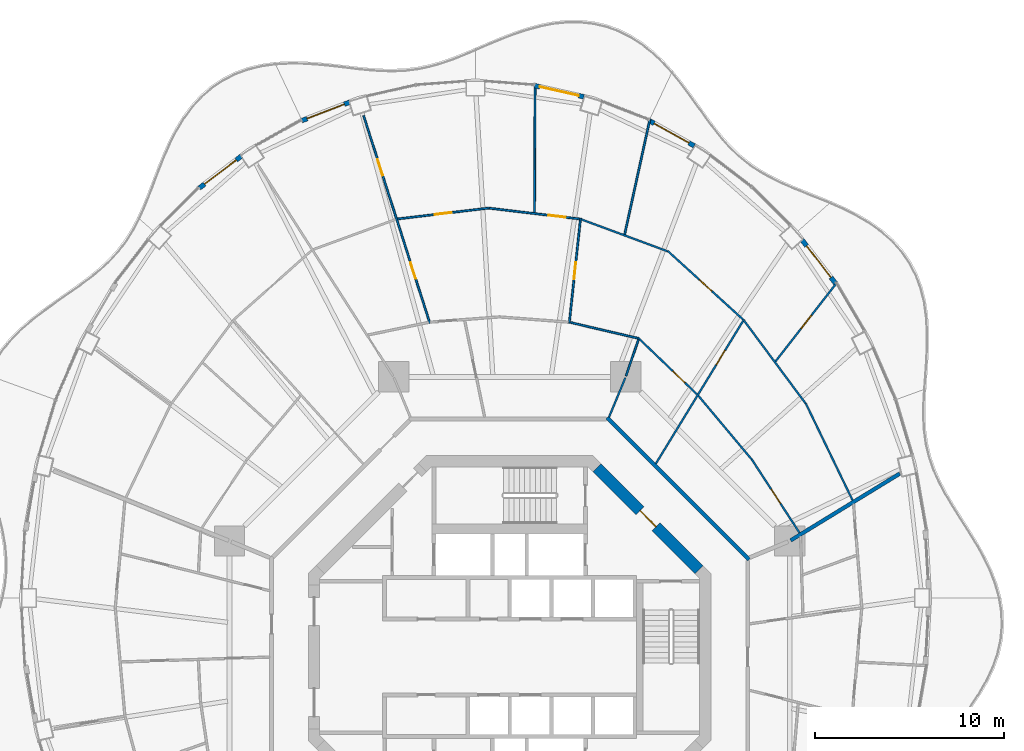
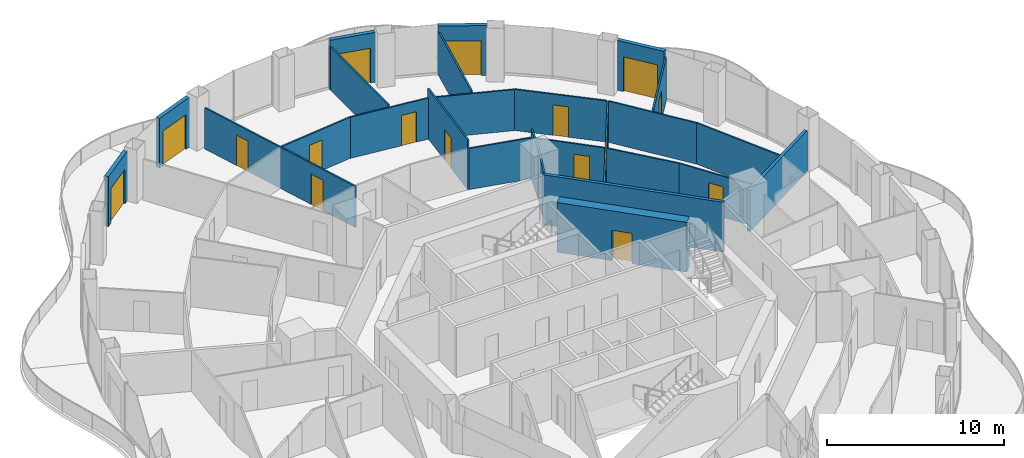
# One storey, part 14 of 18: 26 walls, 16 doors, 16 openings.
"""IFC4 building model written with IfcOpenShell, lengths in metres."""

from ifc_helpers import new_model, si_unit, direction, frame, frame_2d, origin, place, context, subcontext, project, spatial, rectangle, extrude, material, layer, layer_set, type_object, element, fill, save


model = new_model("IFC4")

# Units and contexts
model_context = context("Model", 3, precision=1e-05, world=origin(), true_north=direction((0.0, 1.0)))
body_context = subcontext(model_context, "Body", "Model", "MODEL_VIEW")
ifc_project = project(units=[si_unit("LENGTHUNIT", "METRE"), si_unit("AREAUNIT", "SQUARE_METRE"), si_unit("VOLUMEUNIT", "CUBIC_METRE"), si_unit("PLANEANGLEUNIT", "RADIAN"), si_unit("MASSUNIT", "GRAM", prefix="KILO")], contexts=[model_context])

# Site, building, storey
site_placement = place(None, origin())
site = spatial("IfcSite", under=ifc_project, at=site_placement, CompositionType="ELEMENT")
building_placement = place(site_placement, origin())
building = spatial("IfcBuilding", under=site, at=building_placement, Name="Nagisa Residences", CompositionType="ELEMENT")
storey_placement = place(building_placement, frame((0.0, 0.0, 219.60009765625)))
storey = spatial("IfcBuildingStorey", under=building, at=storey_placement, Name="L55", CompositionType="ELEMENT", Elevation=219.60009765625)

# Walls
ifc_material_1 = material(Name="Gypsum board on steel studs", Category="steel")
ifc_layer_1 = layer(ifc_material_1, 0.199951171875)
ifc_layer_set_1 = layer_set([ifc_layer_1], Name="Apartment compartment wall EI60 200")
wall_type_1 = type_object("IfcWallType", Name="Apartment compartment wall EI60 200", PredefinedType="PARTITIONING", material=ifc_layer_set_1)
wall_1_placement = place(storey_placement, frame((14.82470703125, 6.149169921875, 0.0), z_axis=(0.0, 0.0, 1.0), x_axis=(0.852781365284, 0.522268075824, 0.0)))
element("IfcWall", 1, at=wall_1_placement, inside=storey, type_object=wall_type_1, Name="wall:L55:u01", PredefinedType="PARTITIONING", context=body_context, shape_type="SweptSolid", body=[
    extrude(rectangle(XDim=6.758056640625, YDim=0.199951171875, at=frame_2d((3.37890625, 0.0))), origin(), (0.0, 0.0, 1.0), 2.8369140625),
])
ifc_material_2 = material(Name="Gypsum board on steel studs", Category="steel")
ifc_layer_2 = layer(ifc_material_2, 0.199951171875)
ifc_layer_set_2 = layer_set([ifc_layer_2], Name="Apartment entry wall EI60 200")
wall_type_2 = type_object("IfcWallType", Name="Apartment entry wall EI60 200", PredefinedType="PARTITIONING", material=ifc_layer_set_2)
wall_2_placement = place(storey_placement, frame((12.635498046875, 5.1337890625, 0.0), z_axis=(0.0, 0.0, 1.0), x_axis=(-0.707106781187, 0.707106781187, 0.0)))
element("IfcWall", 2, at=wall_2_placement, inside=storey, type_object=wall_type_2, Name="wall:L55:u09", PredefinedType="PARTITIONING", context=body_context, shape_type="SweptSolid", body=[
    extrude(rectangle(XDim=10.609130859375, YDim=0.199951171875, at=frame_2d((5.3046875, 0.0))), origin(), (0.0, 0.0, 1.0), 3.43994140625),
])

# Wall, opening, door
ifc_material_3 = material(Name="Gypsum board on steel studs", Category="steel")
ifc_layer_3 = layer(ifc_material_3, 0.10009765625)
ifc_layer_set_3 = layer_set([ifc_layer_3], Name="Apartment partition 100")
wall_type_3 = type_object("IfcWallType", Name="Apartment partition 100", PredefinedType="PARTITIONING", material=ifc_layer_set_3)
wall_3_placement = place(storey_placement, frame((15.295166015625, 6.554443359375, 0.0), z_axis=(0.0, 0.0, 1.0), x_axis=(-0.545186120363, 0.838315032767, 0.0)))
wall_3 = element("IfcWall", 3, at=wall_3_placement, inside=storey, type_object=wall_type_3, Name="wall:L55:u21", PredefinedType="PARTITIONING", context=body_context, shape_type="SweptSolid", body=[
    extrude(rectangle(XDim=4.642578125, YDim=0.10009765625, at=frame_2d((2.3212890625, 0.0))), origin(), (0.0, 0.0, 1.0), 2.8369140625),
])
opening_1_placement = place(wall_3_placement, frame((1.84619140625, 0.0, 0.0)))
opening_1 = element("IfcOpeningElement", 4, at=opening_1_placement, cuts=wall_3, Name="Opening L55-U19", PredefinedType="OPENING", context=body_context, shape_type="SweptSolid", body=[
    extrude(rectangle(XDim=0.89990234375, YDim=2.10009765625, at=frame_2d((0.449951171875, 1.050048828125))), frame((0.0, 0.06005859375, 0.0), z_axis=(0.0, -1.0, 0.0), x_axis=(1.0, 0.0, 0.0)), (0.0, 0.0, 1.0), 0.1201171875),
])
ifc_material_4 = material(Name="Timber door set", Category="wood")
door_type_1 = type_object("IfcDoorType", Name="Apartment door 900x2100", OperationType="NOTDEFINED", PredefinedType="DOOR", material=ifc_material_4)
door_1_placement = place(opening_1_placement, origin())
door_1 = element("IfcDoor", 5, at=door_1_placement, inside=storey, type_object=door_type_1, Name="Door to store, Apartment 55A", OperationType="SINGLE_SWING_LEFT", OverallHeight=2.10009765625, OverallWidth=0.89990234375, PredefinedType="DOOR", context=body_context, shape_type="SweptSolid", body=[
    extrude(rectangle(XDim=0.89990234375, YDim=2.10009765625, at=frame_2d((0.449951171875, 1.050048828125))), frame((0.0, 0.02490234375, 0.0), z_axis=(0.0, -1.0, 0.0), x_axis=(1.0, 0.0, 0.0)), (0.0, 0.0, 1.0), 0.050048828125),
])
fill(opening_1, door_1)

# Walls
wall_4_placement = place(storey_placement, frame((18.094970703125, 8.2685546875, 0.0), z_axis=(0.0, 0.0, 1.0), x_axis=(-0.434640773561, 0.900603907363, 0.0)))
element("IfcWall", 6, at=wall_4_placement, inside=storey, type_object=wall_type_3, Name="wall:L55:u22", PredefinedType="PARTITIONING", context=body_context, shape_type="SweptSolid", body=[
    extrude(rectangle(XDim=5.67431640625, YDim=0.10009765625, at=frame_2d((2.837158203125, 0.0))), origin(), (0.0, 0.0, 1.0), 2.8369140625),
])
wall_5_placement = place(storey_placement, frame((12.75927734375, 10.442626953125, 0.0), z_axis=(0.0, 0.0, 1.0), x_axis=(-0.642225196965, 0.766516011825, 0.0)))
element("IfcWall", 7, at=wall_5_placement, inside=storey, type_object=wall_type_3, Name="wall:L55:u23", PredefinedType="PARTITIONING", context=body_context, shape_type="SweptSolid", body=[
    extrude(rectangle(XDim=4.360595703125, YDim=0.10009765625, at=frame_2d((2.18017578125, 0.0))), origin(), (0.0, 0.0, 1.0), 2.8369140625),
])
wall_6_placement = place(storey_placement, frame((15.62060546875, 13.3740234375, 0.0), z_axis=(0.0, 0.0, 1.0), x_axis=(-0.596174489482, 0.8028548923, 0.0)))
element("IfcWall", 8, at=wall_6_placement, inside=storey, type_object=wall_type_3, Name="wall:L55:u24", PredefinedType="PARTITIONING", context=body_context, shape_type="SweptSolid", body=[
    extrude(rectangle(XDim=5.44189453125, YDim=0.10009765625, at=frame_2d((2.720947265625, 0.0))), origin(), (0.0, 0.0, 1.0), 2.8369140625),
])

# Wall, opening, door
wall_7_placement = place(storey_placement, frame((14.029052734375, 15.597900390625, 0.0), z_axis=(0.0, 0.0, 1.0), x_axis=(0.614558710688, 0.788871086501, 0.0)))
wall_7 = element("IfcWall", 9, at=wall_7_placement, inside=storey, type_object=wall_type_3, Name="wall:L55:u25", PredefinedType="PARTITIONING", context=body_context, shape_type="SweptSolid", body=[
    extrude(rectangle(XDim=5.276123046875, YDim=0.10009765625, at=frame_2d((2.63818359375, 0.0))), origin(), (0.0, 0.0, 1.0), 2.98291015625),
])
opening_2_placement = place(wall_7_placement, frame((2.18798828125, 0.0, 0.0)))
opening_2 = element("IfcOpeningElement", 10, at=opening_2_placement, cuts=wall_7, Name="Opening L55-U18", PredefinedType="OPENING", context=body_context, shape_type="SweptSolid", body=[
    extrude(rectangle(XDim=0.89990234375, YDim=2.10009765625, at=frame_2d((0.449951171875, 1.050048828125))), frame((0.0, 0.06005859375, 0.0), z_axis=(0.0, -1.0, 0.0), x_axis=(1.0, 0.0, 0.0)), (0.0, 0.0, 1.0), 0.1201171875),
])
door_2_placement = place(opening_2_placement, frame((0.89990234375, 0.0, 0.0), x_axis=(-1.0, 0.0, 0.0)))
door_2 = element("IfcDoor", 11, at=door_2_placement, inside=storey, type_object=door_type_1, Name="Door to master bedroom, Apartment 55A", OperationType="SINGLE_SWING_LEFT", OverallHeight=2.10009765625, OverallWidth=0.89990234375, PredefinedType="DOOR", context=body_context, shape_type="SweptSolid", body=[
    extrude(rectangle(XDim=0.89990234375, YDim=2.10009765625, at=frame_2d((0.449951171875, 1.050048828125))), frame((0.0, 0.02490234375, 0.0), z_axis=(0.0, -1.0, 0.0), x_axis=(1.0, 0.0, 0.0)), (0.0, 0.0, 1.0), 0.050048828125),
])
fill(opening_2, door_2)

wall_8_placement = place(storey_placement, frame((7.7099609375, 10.19677734375, 0.0), z_axis=(0.0, 0.0, 1.0), x_axis=(0.521477621335, 0.853264959111, 0.0)))
wall_8 = element("IfcWall", 12, at=wall_8_placement, inside=storey, type_object=wall_type_3, Name="wall:L55:u26", PredefinedType="PARTITIONING", context=body_context, shape_type="SweptSolid", body=[
    extrude(rectangle(XDim=8.941162109375, YDim=0.10009765625, at=frame_2d((4.470703125, 0.0))), origin(), (0.0, 0.0, 1.0), 2.761962890625),
])
opening_3_placement = place(wall_8_placement, frame((6.120849609375, 0.0, 0.0)))
opening_3 = element("IfcOpeningElement", 13, at=opening_3_placement, cuts=wall_8, Name="Opening L55-U17", PredefinedType="OPENING", context=body_context, shape_type="SweptSolid", body=[
    extrude(rectangle(XDim=0.89990234375, YDim=2.10009765625, at=frame_2d((0.449951171875, 1.050048828125))), frame((0.0, 0.06005859375, 0.0), z_axis=(0.0, -1.0, 0.0), x_axis=(1.0, 0.0, 0.0)), (0.0, 0.0, 1.0), 0.1201171875),
])
door_3_placement = place(opening_3_placement, frame((0.89990234375, 0.0, 0.0), x_axis=(-1.0, 0.0, 0.0)))
door_3 = element("IfcDoor", 14, at=door_3_placement, inside=storey, type_object=door_type_1, Name="Door to kitchen, Apartment 55A", OperationType="SINGLE_SWING_RIGHT", OverallHeight=2.10009765625, OverallWidth=0.89990234375, PredefinedType="DOOR", context=body_context, shape_type="SweptSolid", body=[
    extrude(rectangle(XDim=0.89990234375, YDim=2.10009765625, at=frame_2d((0.449951171875, 1.050048828125))), frame((0.0, 0.02490234375, 0.0), z_axis=(0.0, -1.0, 0.0), x_axis=(1.0, 0.0, 0.0)), (0.0, 0.0, 1.0), 0.050048828125),
])
fill(opening_3, door_3)

wall_9_placement = place(storey_placement, frame((9.890380859375, 13.858154296875, 0.0), z_axis=(0.0, 0.0, 1.0), x_axis=(-0.72167233993, 0.692234811159, 0.0)))
wall_9 = element("IfcWall", 15, at=wall_9_placement, inside=storey, type_object=wall_type_3, Name="wall:L55:u27", PredefinedType="PARTITIONING", context=body_context, shape_type="SweptSolid", body=[
    extrude(rectangle(XDim=4.312744140625, YDim=0.10009765625, at=frame_2d((2.15625, 0.0))), origin(), (0.0, 0.0, 1.0), 2.8369140625),
])
opening_4_placement = place(wall_9_placement, frame((0.882568359375, 0.0, 0.0)))
opening_4 = element("IfcOpeningElement", 16, at=opening_4_placement, cuts=wall_9, Name="Opening L55-U16", PredefinedType="OPENING", context=body_context, shape_type="SweptSolid", body=[
    extrude(rectangle(XDim=0.89990234375, YDim=2.10009765625, at=frame_2d((0.449951171875, 1.050048828125))), frame((0.0, 0.06005859375, 0.0), z_axis=(0.0, -1.0, 0.0), x_axis=(1.0, 0.0, 0.0)), (0.0, 0.0, 1.0), 0.1201171875),
])
door_4_placement = place(opening_4_placement, origin())
door_4 = element("IfcDoor", 17, at=door_4_placement, inside=storey, type_object=door_type_1, Name="Door to laundry, Apartment 55A", OperationType="SINGLE_SWING_RIGHT", OverallHeight=2.10009765625, OverallWidth=0.89990234375, PredefinedType="DOOR", context=body_context, shape_type="SweptSolid", body=[
    extrude(rectangle(XDim=0.89990234375, YDim=2.10009765625, at=frame_2d((0.449951171875, 1.050048828125))), frame((0.0, 0.02490234375, 0.0), z_axis=(0.0, -1.0, 0.0), x_axis=(1.0, 0.0, 0.0)), (0.0, 0.0, 1.0), 0.050048828125),
])
fill(opening_4, door_4)

wall_10_placement = place(storey_placement, frame((12.3095703125, 17.81689453125, 0.0), z_axis=(0.0, 0.0, 1.0), x_axis=(-0.739697052892, 0.672940019573, 0.0)))
wall_10 = element("IfcWall", 18, at=wall_10_placement, inside=storey, type_object=wall_type_3, Name="wall:L55:u28", PredefinedType="PARTITIONING", context=body_context, shape_type="SweptSolid", body=[
    extrude(rectangle(XDim=5.364990234375, YDim=0.10009765625, at=frame_2d((2.6826171875, 0.0))), origin(), (0.0, 0.0, 1.0), 2.8369140625),
])
opening_5_placement = place(wall_10_placement, frame((2.20751953125, 0.0, 0.0)))
opening_5 = element("IfcOpeningElement", 19, at=opening_5_placement, cuts=wall_10, Name="Opening L55-U15", PredefinedType="OPENING", context=body_context, shape_type="SweptSolid", body=[
    extrude(rectangle(XDim=0.89990234375, YDim=2.10009765625, at=frame_2d((0.449951171875, 1.050048828125))), frame((0.0, 0.06005859375, 0.0), z_axis=(0.0, -1.0, 0.0), x_axis=(1.0, 0.0, 0.0)), (0.0, 0.0, 1.0), 0.1201171875),
])
door_5_placement = place(opening_5_placement, frame((0.89990234375, 0.0, 0.0), x_axis=(-1.0, 0.0, 0.0)))
door_5 = element("IfcDoor", 20, at=door_5_placement, inside=storey, type_object=door_type_1, Name="Door to living room, Apartment 55A", OperationType="SINGLE_SWING_RIGHT", OverallHeight=2.10009765625, OverallWidth=0.89990234375, PredefinedType="DOOR", context=body_context, shape_type="SweptSolid", body=[
    extrude(rectangle(XDim=0.89990234375, YDim=2.10009765625, at=frame_2d((0.449951171875, 1.050048828125))), frame((0.0, 0.02490234375, 0.0), z_axis=(0.0, -1.0, 0.0), x_axis=(1.0, 0.0, 0.0)), (0.0, 0.0, 1.0), 0.050048828125),
])
fill(opening_5, door_5)

# Walls
wall_11_placement = place(storey_placement, frame((5.24267578125, 12.6572265625, 0.0), z_axis=(0.0, 0.0, 1.0), x_axis=(0.382719158442, 0.923864733477, 0.0)))
element("IfcWall", 21, at=wall_11_placement, inside=storey, type_object=wall_type_3, Name="wall:L55:u29", PredefinedType="PARTITIONING", context=body_context, shape_type="SweptSolid", body=[
    extrude(rectangle(XDim=2.25, YDim=0.10009765625, at=frame_2d((1.125, 0.0))), origin(), (0.0, 0.0, 1.0), 3.43994140625),
])
wall_12_placement = place(storey_placement, frame((6.13916015625, 14.829345703125, 0.0), z_axis=(0.0, 0.0, 1.0), x_axis=(0.32278593828, 0.946471995385, 0.0)))
element("IfcWall", 22, at=wall_12_placement, inside=storey, type_object=wall_type_3, Name="wall:L55:u30", PredefinedType="PARTITIONING", context=body_context, shape_type="SweptSolid", body=[
    extrude(rectangle(XDim=2.04150390625, YDim=0.10009765625, at=frame_2d((1.020751953125, 0.0))), origin(), (0.0, 0.0, 1.0), 3.43994140625),
])
wall_13_placement = place(storey_placement, frame((6.765625, 16.8203125, 0.0), z_axis=(0.0, 0.0, 1.0), x_axis=(-0.973612608559, 0.22820711745, 0.0)))
element("IfcWall", 23, at=wall_13_placement, inside=storey, type_object=wall_type_3, Name="wall:L55:u31", PredefinedType="PARTITIONING", context=body_context, shape_type="SweptSolid", body=[
    extrude(rectangle(XDim=3.6630859375, YDim=0.10009765625, at=frame_2d((1.83154296875, 0.0))), origin(), (0.0, 0.0, 1.0), 2.8369140625),
])
wall_14_placement = place(storey_placement, frame((8.3310546875, 21.410888671875, 0.0), z_axis=(0.0, 0.0, 1.0), x_axis=(-0.937891982431, 0.346927412136, 0.0)))
element("IfcWall", 24, at=wall_14_placement, inside=storey, type_object=wall_type_3, Name="wall:L55:u32", PredefinedType="PARTITIONING", context=body_context, shape_type="SweptSolid", body=[
    extrude(rectangle(XDim=4.85009765625, YDim=0.10009765625, at=frame_2d((2.425048828125, 0.0))), origin(), (0.0, 0.0, 1.0), 2.8369140625),
])
wall_15_placement = place(storey_placement, frame((6.0673828125, 22.301025390625, 0.0), z_axis=(0.0, 0.0, 1.0), x_axis=(0.214401821533, 0.976745544614, 0.0)))
element("IfcWall", 25, at=wall_15_placement, inside=storey, type_object=wall_type_3, Name="wall:L55:u33", PredefinedType="PARTITIONING", context=body_context, shape_type="SweptSolid", body=[
    extrude(rectangle(XDim=6.2275390625, YDim=0.10009765625, at=frame_2d((3.11376953125, 0.0))), origin(), (0.0, 0.0, 1.0), 2.98291015625),
])

# Wall, opening, door
wall_16_placement = place(storey_placement, frame((3.145263671875, 17.617919921875, 0.0), z_axis=(0.0, 0.0, 1.0), x_axis=(0.106820754108, 0.994278294288, 0.0)))
wall_16 = element("IfcWall", 26, at=wall_16_placement, inside=storey, type_object=wall_type_3, Name="wall:L55:u34", PredefinedType="PARTITIONING", context=body_context, shape_type="SweptSolid", body=[
    extrude(rectangle(XDim=5.574462890625, YDim=0.10009765625, at=frame_2d((2.787109375, 0.0))), origin(), (0.0, 0.0, 1.0), 3.43994140625),
])
opening_6_placement = place(wall_16_placement, frame((2.337158203125, 0.0, 0.0)))
opening_6 = element("IfcOpeningElement", 27, at=opening_6_placement, cuts=wall_16, Name="Opening L55-U14", PredefinedType="OPENING", context=body_context, shape_type="SweptSolid", body=[
    extrude(rectangle(XDim=0.89990234375, YDim=2.10009765625, at=frame_2d((0.449951171875, 1.050048828125))), frame((0.0, 0.06005859375, 0.0), z_axis=(0.0, -1.0, 0.0), x_axis=(1.0, 0.0, 0.0)), (0.0, 0.0, 1.0), 0.1201171875),
])
door_6_placement = place(opening_6_placement, frame((0.89990234375, 0.0, 0.0), x_axis=(-1.0, 0.0, 0.0)))
door_6 = element("IfcDoor", 28, at=door_6_placement, inside=storey, type_object=door_type_1, Name="Door to dining room, Apartment 55A", OperationType="SINGLE_SWING_LEFT", OverallHeight=2.10009765625, OverallWidth=0.89990234375, PredefinedType="DOOR", context=body_context, shape_type="SweptSolid", body=[
    extrude(rectangle(XDim=0.89990234375, YDim=2.10009765625, at=frame_2d((0.449951171875, 1.050048828125))), frame((0.0, 0.02490234375, 0.0), z_axis=(0.0, -1.0, 0.0), x_axis=(1.0, 0.0, 0.0)), (0.0, 0.0, 1.0), 0.050048828125),
])
fill(opening_6, door_6)

wall_17_placement = place(storey_placement, frame((3.685791015625, 23.11669921875, 0.0), z_axis=(0.0, 0.0, 1.0), x_axis=(-0.992965872314, 0.11840091393, 0.0)))
wall_17 = element("IfcWall", 29, at=wall_17_placement, inside=storey, type_object=wall_type_3, Name="wall:L55:u36", PredefinedType="PARTITIONING", context=body_context, shape_type="SweptSolid", body=[
    extrude(rectangle(XDim=4.785888671875, YDim=0.10009765625, at=frame_2d((2.39306640625, 0.0))), origin(), (0.0, 0.0, 1.0), 2.8369140625),
])
opening_7_placement = place(wall_17_placement, frame((0.746337890625, 0.0, 0.0)))
opening_7 = element("IfcOpeningElement", 30, at=opening_7_placement, cuts=wall_17, Name="Opening L55-U08", PredefinedType="OPENING", context=body_context, shape_type="SweptSolid", body=[
    extrude(rectangle(XDim=0.89990234375, YDim=2.10009765625, at=frame_2d((0.449951171875, 1.050048828125))), frame((0.0, 0.06005859375, 0.0), z_axis=(0.0, -1.0, 0.0), x_axis=(1.0, 0.0, 0.0)), (0.0, 0.0, 1.0), 0.1201171875),
])
door_7_placement = place(opening_7_placement, frame((0.89990234375, 0.0, 0.0), x_axis=(-1.0, 0.0, 0.0)))
door_7 = element("IfcDoor", 31, at=door_7_placement, inside=storey, type_object=door_type_1, Name="Door to master bedroom, Apartment 55A", OperationType="SINGLE_SWING_LEFT", OverallHeight=2.10009765625, OverallWidth=0.89990234375, PredefinedType="DOOR", context=body_context, shape_type="SweptSolid", body=[
    extrude(rectangle(XDim=0.89990234375, YDim=2.10009765625, at=frame_2d((0.449951171875, 1.050048828125))), frame((0.0, 0.02490234375, 0.0), z_axis=(0.0, -1.0, 0.0), x_axis=(1.0, 0.0, 0.0)), (0.0, 0.0, 1.0), 0.050048828125),
])
fill(opening_7, door_7)

# Wall
wall_18_placement = place(storey_placement, frame((1.309814453125, 23.449951171875, 0.0), z_axis=(0.0, 0.0, 1.0), x_axis=(0.004678732305, 0.999989054672, 0.0)))
element("IfcWall", 32, at=wall_18_placement, inside=storey, type_object=wall_type_3, Name="wall:L55:u37", PredefinedType="PARTITIONING", context=body_context, shape_type="SweptSolid", body=[
    extrude(rectangle(XDim=6.783447265625, YDim=0.10009765625, at=frame_2d((3.3916015625, 0.0))), origin(), (0.0, 0.0, 1.0), 2.98291015625),
])

# Wall, opening, door
wall_19_placement = place(storey_placement, frame((-1.06640625, 23.6953125, 0.0), z_axis=(0.0, 0.0, 1.0), x_axis=(-0.992962413335, -0.118429918957, 0.0)))
wall_19 = element("IfcWall", 33, at=wall_19_placement, inside=storey, type_object=wall_type_3, Name="wall:L55:u39", PredefinedType="PARTITIONING", context=body_context, shape_type="SweptSolid", body=[
    extrude(rectangle(XDim=4.8857421875, YDim=0.10009765625, at=frame_2d((2.44287109375, 0.0))), origin(), (0.0, 0.0, 1.0), 2.8369140625),
])
opening_8_placement = place(wall_19_placement, frame((2.017822265625, 0.0, 0.0)))
opening_8 = element("IfcOpeningElement", 34, at=opening_8_placement, cuts=wall_19, Name="Opening L55-U09", PredefinedType="OPENING", context=body_context, shape_type="SweptSolid", body=[
    extrude(rectangle(XDim=0.89990234375, YDim=2.10009765625, at=frame_2d((0.449951171875, 1.050048828125))), frame((0.0, 0.06005859375, 0.0), z_axis=(0.0, -1.0, 0.0), x_axis=(1.0, 0.0, 0.0)), (0.0, 0.0, 1.0), 0.1201171875),
])
door_8_placement = place(opening_8_placement, frame((0.89990234375, 0.0, 0.0), x_axis=(-1.0, 0.0, 0.0)))
door_8 = element("IfcDoor", 35, at=door_8_placement, inside=storey, type_object=door_type_1, Name="Door to family room, Apartment 55A", OperationType="SINGLE_SWING_RIGHT", OverallHeight=2.10009765625, OverallWidth=0.89990234375, PredefinedType="DOOR", context=body_context, shape_type="SweptSolid", body=[
    extrude(rectangle(XDim=0.89990234375, YDim=2.10009765625, at=frame_2d((0.449951171875, 1.050048828125))), frame((0.0, 0.02490234375, 0.0), z_axis=(0.0, -1.0, 0.0), x_axis=(1.0, 0.0, 0.0)), (0.0, 0.0, 1.0), 0.050048828125),
])
fill(opening_8, door_8)

# Wall, openings, doors
wall_20_placement = place(storey_placement, frame((-4.21533203125, 17.6201171875, 0.0), z_axis=(0.0, 0.0, 1.0), x_axis=(-0.303985237897, 0.952676742206, 0.0)))
wall_20 = element("IfcWall", 36, at=wall_20_placement, inside=storey, type_object=wall_type_3, Name="wall:L55:u41", PredefinedType="PARTITIONING", context=body_context, shape_type="SweptSolid", body=[
    extrude(rectangle(XDim=11.499267578125, YDim=0.10009765625, at=frame_2d((5.74951171875, 0.0))), origin(), (0.0, 0.0, 1.0), 2.8369140625),
])
opening_9_placement = place(wall_20_placement, frame((2.456787109375, 0.0, 0.0)))
opening_9 = element("IfcOpeningElement", 37, at=opening_9_placement, cuts=wall_20, Name="Opening L55-U05", PredefinedType="OPENING", context=body_context, shape_type="SweptSolid", body=[
    extrude(rectangle(XDim=0.89990234375, YDim=2.10009765625, at=frame_2d((0.449951171875, 1.050048828125))), frame((0.0, 0.06005859375, 0.0), z_axis=(0.0, -1.0, 0.0), x_axis=(1.0, 0.0, 0.0)), (0.0, 0.0, 1.0), 0.1201171875),
])
opening_10_placement = place(wall_20_placement, frame((8.181396484375, 0.0, 0.0)))
opening_10 = element("IfcOpeningElement", 38, at=opening_10_placement, cuts=wall_20, Name="Opening L55-U10", PredefinedType="OPENING", context=body_context, shape_type="SweptSolid", body=[
    extrude(rectangle(XDim=0.89990234375, YDim=2.10009765625, at=frame_2d((0.449951171875, 1.050048828125))), frame((0.0, 0.06005859375, 0.0), z_axis=(0.0, -1.0, 0.0), x_axis=(1.0, 0.0, 0.0)), (0.0, 0.0, 1.0), 0.1201171875),
])
door_9_placement = place(opening_9_placement, origin())
door_9 = element("IfcDoor", 39, at=door_9_placement, inside=storey, type_object=door_type_1, Name="Door to dining room, Apartment 55A", OperationType="SINGLE_SWING_LEFT", OverallHeight=2.10009765625, OverallWidth=0.89990234375, PredefinedType="DOOR", context=body_context, shape_type="SweptSolid", body=[
    extrude(rectangle(XDim=0.89990234375, YDim=2.10009765625, at=frame_2d((0.449951171875, 1.050048828125))), frame((0.0, 0.02490234375, 0.0), z_axis=(0.0, -1.0, 0.0), x_axis=(1.0, 0.0, 0.0)), (0.0, 0.0, 1.0), 0.050048828125),
])
fill(opening_9, door_9)
door_10_placement = place(opening_10_placement, origin())
door_10 = element("IfcDoor", 40, at=door_10_placement, inside=storey, type_object=door_type_1, Name="Door to tatami room, Apartment 55A", OperationType="SINGLE_SWING_RIGHT", OverallHeight=2.10009765625, OverallWidth=0.89990234375, PredefinedType="DOOR", context=body_context, shape_type="SweptSolid", body=[
    extrude(rectangle(XDim=0.89990234375, YDim=2.10009765625, at=frame_2d((0.449951171875, 1.050048828125))), frame((0.0, 0.02490234375, 0.0), z_axis=(0.0, -1.0, 0.0), x_axis=(1.0, 0.0, 0.0)), (0.0, 0.0, 1.0), 0.050048828125),
])
fill(opening_10, door_10)

# Wall, opening, door
ifc_material_5 = material(Name="Precast concrete C40/50", Category="concrete")
ifc_layer_4 = layer(ifc_material_5, 0.25)
ifc_layer_set_4 = layer_set([ifc_layer_4], Name="BALCONY DOOR WALL 250")
wall_type_4 = type_object("IfcWallType", Name="BALCONY DOOR WALL 250", PredefinedType="SOLIDWALL", material=ifc_layer_set_4)
wall_21_placement = place(storey_placement, frame((15.42626953125, 22.012939453125, 0.0), z_axis=(0.0, 0.0, 1.0), x_axis=(0.610438565676, -0.792063607001, 0.0)))
wall_21 = element("IfcWall", 41, at=wall_21_placement, inside=storey, type_object=wall_type_4, Name="wall:L55:bay05", PredefinedType="SOLIDWALL", context=body_context, shape_type="SweptSolid", body=[
    extrude(rectangle(XDim=2.90087890625, YDim=0.25, at=frame_2d((1.450439453125, 0.0))), origin(), (0.0, 0.0, 1.0), 3.43994140625),
])
opening_11_placement = place(wall_21_placement, frame((0.400390625, 0.0, 0.0)))
opening_11 = element("IfcOpeningElement", 42, at=opening_11_placement, cuts=wall_21, Name="Opening BD-L55-02", PredefinedType="OPENING", context=body_context, shape_type="SweptSolid", body=[
    extrude(rectangle(XDim=2.10009765625, YDim=2.39990234375, at=frame_2d((1.050048828125, 1.199951171875))), frame((0.0, 0.135009765625, 0.0), z_axis=(0.0, -1.0, 0.0), x_axis=(1.0, 0.0, 0.0)), (0.0, 0.0, 1.0), 0.27001953125),
])
ifc_material_6 = material(Name="Aluminium and clear glass", Category="aluminium")
door_type_2 = type_object("IfcDoorType", Name="BALCONY SLIDING DOOR 2100x2400", OperationType="SLIDING_TO_LEFT", PredefinedType="DOOR", material=ifc_material_6)
door_11_placement = place(opening_11_placement, origin())
door_11 = element("IfcDoor", 43, at=door_11_placement, inside=storey, type_object=door_type_2, Name="door:L55:bay05", OperationType="SLIDING_TO_LEFT", OverallHeight=2.39990234375, OverallWidth=2.10009765625, PredefinedType="DOOR", context=body_context, shape_type="SweptSolid", body=[
    extrude(rectangle(XDim=2.10009765625, YDim=2.39990234375, at=frame_2d((1.050048828125, 1.199951171875))), frame((0.0, 0.02490234375, 0.0), z_axis=(0.0, -1.0, 0.0), x_axis=(1.0, 0.0, 0.0)), (0.0, 0.0, 1.0), 0.050048828125),
])
fill(opening_11, door_11)

wall_22_placement = place(storey_placement, frame((7.35009765625, 28.313720703125, 0.0), z_axis=(0.0, 0.0, 1.0), x_axis=(0.872079929129, -0.489363461254, 0.0)))
wall_22 = element("IfcWall", 44, at=wall_22_placement, inside=storey, type_object=wall_type_4, Name="wall:L55:bay08", PredefinedType="SOLIDWALL", context=body_context, shape_type="SweptSolid", body=[
    extrude(rectangle(XDim=2.738037109375, YDim=0.25, at=frame_2d((1.369140625, 0.0))), origin(), (0.0, 0.0, 1.0), 3.43994140625),
])
opening_12_placement = place(wall_22_placement, frame((0.319091796875, 0.0, 0.0)))
opening_12 = element("IfcOpeningElement", 45, at=opening_12_placement, cuts=wall_22, Name="Opening BD-L55-03", PredefinedType="OPENING", context=body_context, shape_type="SweptSolid", body=[
    extrude(rectangle(XDim=2.10009765625, YDim=2.39990234375, at=frame_2d((1.050048828125, 1.199951171875))), frame((0.0, 0.135009765625, 0.0), z_axis=(0.0, -1.0, 0.0), x_axis=(1.0, 0.0, 0.0)), (0.0, 0.0, 1.0), 0.27001953125),
])
door_12_placement = place(opening_12_placement, origin())
door_12 = element("IfcDoor", 46, at=door_12_placement, inside=storey, type_object=door_type_2, Name="door:L55:bay08", OperationType="SLIDING_TO_LEFT", OverallHeight=2.39990234375, OverallWidth=2.10009765625, PredefinedType="DOOR", context=body_context, shape_type="SweptSolid", body=[
    extrude(rectangle(XDim=2.10009765625, YDim=2.39990234375, at=frame_2d((1.050048828125, 1.199951171875))), frame((0.0, 0.02490234375, 0.0), z_axis=(0.0, -1.0, 0.0), x_axis=(1.0, 0.0, 0.0)), (0.0, 0.0, 1.0), 0.050048828125),
])
fill(opening_12, door_12)

wall_23_placement = place(storey_placement, frame((1.314208984375, 30.1513671875, 0.0), z_axis=(0.0, 0.0, 1.0), x_axis=(0.975324089124, -0.220777990694, 0.0)))
wall_23 = element("IfcWall", 47, at=wall_23_placement, inside=storey, type_object=wall_type_4, Name="wall:L55:bay10", PredefinedType="SOLIDWALL", context=body_context, shape_type="SweptSolid", body=[
    extrude(rectangle(XDim=2.666015625, YDim=0.25, at=frame_2d((1.3330078125, 0.0))), origin(), (0.0, 0.0, 1.0), 3.43994140625),
])
opening_13_placement = place(wall_23_placement, frame((0.282958984375, 0.0, 0.0)))
opening_13 = element("IfcOpeningElement", 48, at=opening_13_placement, cuts=wall_23, Name="Opening BD-L55-04", PredefinedType="OPENING", context=body_context, shape_type="SweptSolid", body=[
    extrude(rectangle(XDim=2.10009765625, YDim=2.39990234375, at=frame_2d((1.050048828125, 1.199951171875))), frame((0.0, 0.135009765625, 0.0), z_axis=(0.0, -1.0, 0.0), x_axis=(1.0, 0.0, 0.0)), (0.0, 0.0, 1.0), 0.27001953125),
])
door_13_placement = place(opening_13_placement, origin())
door_13 = element("IfcDoor", 49, at=door_13_placement, inside=storey, type_object=door_type_2, Name="door:L55:bay10", OperationType="SLIDING_TO_LEFT", OverallHeight=2.39990234375, OverallWidth=2.10009765625, PredefinedType="DOOR", context=body_context, shape_type="SweptSolid", body=[
    extrude(rectangle(XDim=2.10009765625, YDim=2.39990234375, at=frame_2d((1.050048828125, 1.199951171875))), frame((0.0, 0.02490234375, 0.0), z_axis=(0.0, -1.0, 0.0), x_axis=(1.0, 0.0, 0.0)), (0.0, 0.0, 1.0), 0.050048828125),
])
fill(opening_13, door_13)

wall_24_placement = place(storey_placement, frame((-10.966064453125, 28.30615234375, 0.0), z_axis=(0.0, 0.0, 1.0), x_axis=(0.932826499224, 0.360325855782, 0.0)))
wall_24 = element("IfcWall", 50, at=wall_24_placement, inside=storey, type_object=wall_type_4, Name="wall:L55:bay14", PredefinedType="SOLIDWALL", context=body_context, shape_type="SweptSolid", body=[
    extrude(rectangle(XDim=2.696044921875, YDim=0.25, at=frame_2d((1.34814453125, 0.0))), origin(), (0.0, 0.0, 1.0), 3.43994140625),
])
opening_14_placement = place(wall_24_placement, frame((0.298095703125, 0.0, 0.0)))
opening_14 = element("IfcOpeningElement", 51, at=opening_14_placement, cuts=wall_24, Name="Opening BD-L55-05", PredefinedType="OPENING", context=body_context, shape_type="SweptSolid", body=[
    extrude(rectangle(XDim=2.10009765625, YDim=2.39990234375, at=frame_2d((1.050048828125, 1.199951171875))), frame((0.0, 0.135009765625, 0.0), z_axis=(0.0, -1.0, 0.0), x_axis=(1.0, 0.0, 0.0)), (0.0, 0.0, 1.0), 0.27001953125),
])
door_14_placement = place(opening_14_placement, origin())
door_14 = element("IfcDoor", 52, at=door_14_placement, inside=storey, type_object=door_type_2, Name="door:L55:bay14", OperationType="SLIDING_TO_LEFT", OverallHeight=2.39990234375, OverallWidth=2.10009765625, PredefinedType="DOOR", context=body_context, shape_type="SweptSolid", body=[
    extrude(rectangle(XDim=2.10009765625, YDim=2.39990234375, at=frame_2d((1.050048828125, 1.199951171875))), frame((0.0, 0.02490234375, 0.0), z_axis=(0.0, -1.0, 0.0), x_axis=(1.0, 0.0, 0.0)), (0.0, 0.0, 1.0), 0.050048828125),
])
fill(opening_14, door_14)

wall_25_placement = place(storey_placement, frame((-16.377197265625, 24.748046875, 0.0), z_axis=(0.0, 0.0, 1.0), x_axis=(0.795990084031, 0.60530966135, 0.0)))
wall_25 = element("IfcWall", 53, at=wall_25_placement, inside=storey, type_object=wall_type_4, Name="wall:L55:bay16", PredefinedType="SOLIDWALL", context=body_context, shape_type="SweptSolid", body=[
    extrude(rectangle(XDim=2.78857421875, YDim=0.25, at=frame_2d((1.394287109375, 0.0))), origin(), (0.0, 0.0, 1.0), 3.43994140625),
])
opening_15_placement = place(wall_25_placement, frame((0.34423828125, 0.0, 0.0)))
opening_15 = element("IfcOpeningElement", 54, at=opening_15_placement, cuts=wall_25, Name="Opening BD-L55-06", PredefinedType="OPENING", context=body_context, shape_type="SweptSolid", body=[
    extrude(rectangle(XDim=2.10009765625, YDim=2.39990234375, at=frame_2d((1.050048828125, 1.199951171875))), frame((0.0, 0.135009765625, 0.0), z_axis=(0.0, -1.0, 0.0), x_axis=(1.0, 0.0, 0.0)), (0.0, 0.0, 1.0), 0.27001953125),
])
door_15_placement = place(opening_15_placement, origin())
door_15 = element("IfcDoor", 55, at=door_15_placement, inside=storey, type_object=door_type_2, Name="door:L55:bay16", OperationType="SLIDING_TO_LEFT", OverallHeight=2.39990234375, OverallWidth=2.10009765625, PredefinedType="DOOR", context=body_context, shape_type="SweptSolid", body=[
    extrude(rectangle(XDim=2.10009765625, YDim=2.39990234375, at=frame_2d((1.050048828125, 1.199951171875))), frame((0.0, 0.02490234375, 0.0), z_axis=(0.0, -1.0, 0.0), x_axis=(1.0, 0.0, 0.0)), (0.0, 0.0, 1.0), 0.050048828125),
])
fill(opening_15, door_15)

ifc_material_7 = material(Name="Concrete C60", Category="concrete")
ifc_layer_5 = layer(ifc_material_7, 0.60009765625)
ifc_layer_set_5 = layer_set([ifc_layer_5], Name="Core shear wall 600")
wall_type_5 = type_object("IfcWallType", Name="Core shear wall 600", PredefinedType="SHEAR", material=ifc_layer_set_5)
wall_26_placement = place(storey_placement, frame((9.98828125, 4.613037109375, 0.0), z_axis=(0.0, 0.0, 1.0), x_axis=(-0.707106781187, 0.707106781187, 0.0)))
wall_26 = element("IfcWall", 56, at=wall_26_placement, inside=storey, type_object=wall_type_5, Name="wall:L55:core:flat1", PredefinedType="SHEAR", context=body_context, shape_type="SweptSolid", body=[
    extrude(rectangle(XDim=7.601806640625, YDim=0.60009765625, at=frame_2d((3.80078125, 0.0))), origin(), (0.0, 0.0, 1.0), 3.43994140625),
])
opening_16_placement = place(wall_26_placement, frame((3.200927734375, 0.0, 0.0)))
opening_16 = element("IfcOpeningElement", 57, at=opening_16_placement, cuts=wall_26, Name="Opening L55-C18", PredefinedType="OPENING", context=body_context, shape_type="SweptSolid", body=[
    extrude(rectangle(XDim=1.199951171875, YDim=2.10009765625, at=frame_2d((0.60009765625, 1.050048828125))), frame((0.0, 0.31005859375, 0.0), z_axis=(0.0, -1.0, 0.0), x_axis=(1.0, 0.0, 0.0)), (0.0, 0.0, 1.0), 0.6201171875),
])
ifc_material_8 = material(Name="Steel fire door", Category="steel")
door_type_3 = type_object("IfcDoorType", Name="Fire door EI60 1200x2100 single swing", OperationType="NOTDEFINED", PredefinedType="DOOR", material=ifc_material_8)
door_16_placement = place(opening_16_placement, origin())
door_16 = element("IfcDoor", 58, at=door_16_placement, inside=storey, type_object=door_type_3, Name="Firefighting lobby 1 door L55", OperationType="SINGLE_SWING_RIGHT", OverallHeight=2.10009765625, OverallWidth=1.199951171875, PredefinedType="DOOR", context=body_context, shape_type="SweptSolid", body=[
    extrude(rectangle(XDim=1.199951171875, YDim=2.10009765625, at=frame_2d((0.60009765625, 1.050048828125))), frame((0.0, 0.02490234375, 0.0), z_axis=(0.0, -1.0, 0.0), x_axis=(1.0, 0.0, 0.0)), (0.0, 0.0, 1.0), 0.050048828125),
])
fill(opening_16, door_16)

save(model, "model.ifc")
